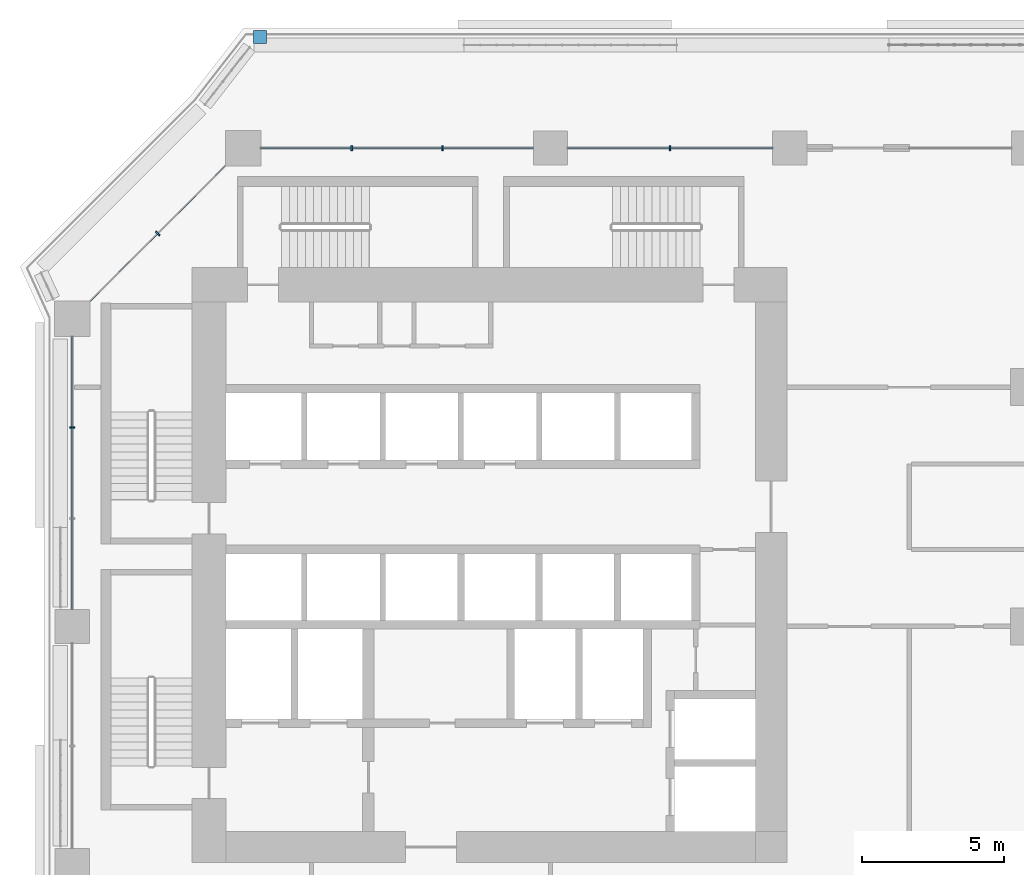
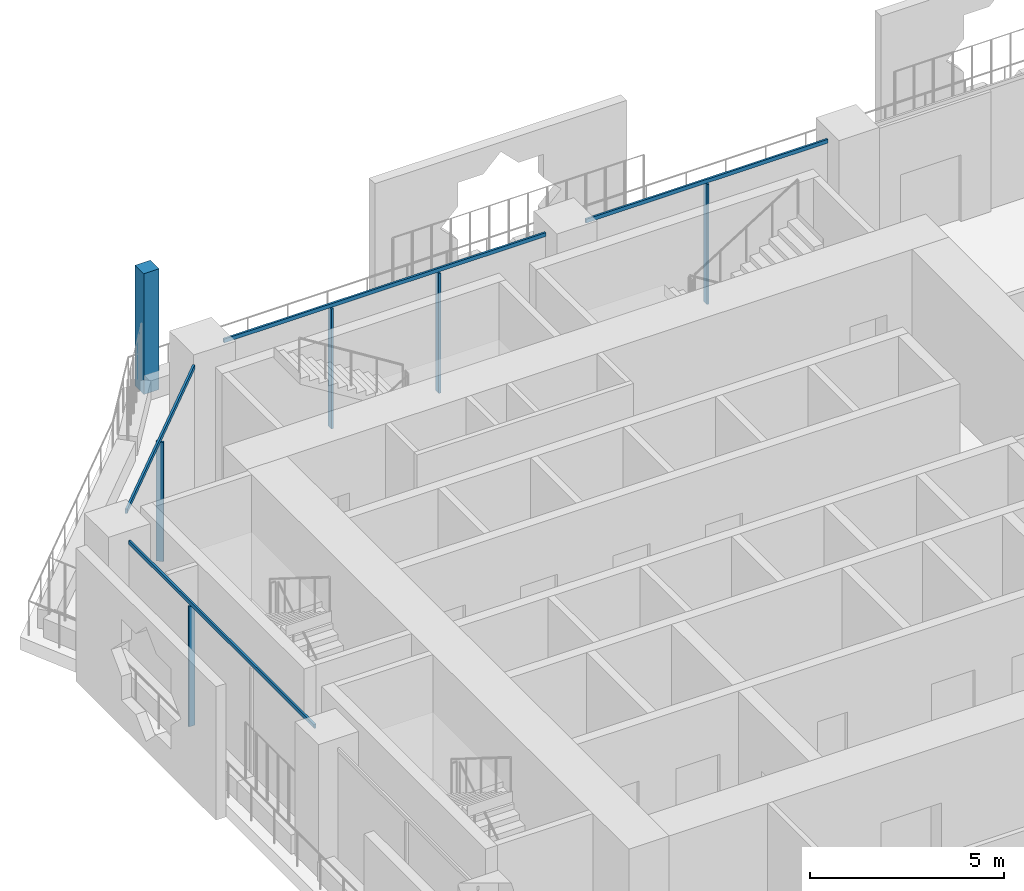
# One storey, part 8 of 28: 10 members, 4 elements without a shape of their own.
"""IFC4 building model written with IfcOpenShell, lengths in metres."""

from ifc_helpers import new_model, si_unit, direction, frame, origin, origin_2d, place, context, subcontext, project, spatial, rectangle, extrude, material, layer, layer_set, material_profile, profile_set, type_object, element, aggregate, save


model = new_model("IFC4")

# Units and contexts
model_context = context("Model", 3, precision=1e-05, world=origin(), true_north=direction((0.0, 1.0)))
body_context = subcontext(model_context, "Body", "Model", "MODEL_VIEW")
ifc_project = project(units=[si_unit("LENGTHUNIT", "METRE"), si_unit("AREAUNIT", "SQUARE_METRE"), si_unit("VOLUMEUNIT", "CUBIC_METRE"), si_unit("PLANEANGLEUNIT", "RADIAN"), si_unit("MASSUNIT", "GRAM", prefix="KILO")], contexts=[model_context])

# Site, building, storey
site_placement = place(None, origin())
site = spatial("IfcSite", under=ifc_project, at=site_placement, CompositionType="ELEMENT")
building_placement = place(site_placement, origin())
building = spatial("IfcBuilding", under=site, at=building_placement, Name="Kawkab Arch Medical Tower", CompositionType="ELEMENT")
storey_placement = place(building_placement, frame((0.0, 0.0, 77.0)))
storey = spatial("IfcBuildingStorey", under=building, at=storey_placement, Name="L17", CompositionType="ELEMENT", Elevation=77.0)

# Curtain wall, member
ifc_material_1 = material(Name="Bronze anodised aluminium curtain wall frame", Category="aluminium")
ifc_layer_1 = layer(ifc_material_1, 0.159912109375)
ifc_layer_set_1 = layer_set([ifc_layer_1], Name="Bronze anodised aluminium curtain wall frame")
curtain_wall_type_1 = type_object("IfcCurtainWallType", Name="CW1 ward curtain wall", PredefinedType="NOTDEFINED", material=ifc_layer_set_1)
placement = place(storey_placement, origin())
curtain_wall_1 = element("IfcCurtainWall", 1, at=placement, inside=storey, type_object=curtain_wall_type_1, Name="CW1 Ward curtain wall R01", PredefinedType="NOTDEFINED")
ifc_material_2 = material(Name="Bronze anodised aluminium curtain wall frame", Category="aluminium")
ifc_material_profile_1 = material_profile(ifc_material_2, rectangle(XDim=0.179931640625, YDim=0.06005859375, at=origin_2d()), Name="AL 60x180")
ifc_profile_set_1 = profile_set([ifc_material_profile_1], Name="Bronze anodised aluminium curtain wall frame")
member_type_1 = type_object("IfcMemberType", Name="CW1 mullion 60 x 180", PredefinedType="MULLION", material=ifc_profile_set_1)
member_1_placement = place(storey_placement, frame((0.0, -9.816650390625, 0.0), z_axis=(0.0, 0.0, 1.0), x_axis=(1.0, 0.0, 0.0)))
member_1 = element("IfcMember", 2, at=member_1_placement, type_object=member_type_1, Name="CW1 mullion 1.1", PredefinedType="MULLION", context=body_context, shape_type="SweptSolid", body=[
    extrude(rectangle(XDim=0.179931640625, YDim=0.06005859375, at=origin_2d()), origin(), (0.0, 0.0, 1.0), 3.780029296875),
])

# Curtain wall, members
curtain_wall_2 = element("IfcCurtainWall", 3, at=placement, inside=storey, type_object=curtain_wall_type_1, Name="CW1 Ward curtain wall R11", PredefinedType="NOTDEFINED")
member_2_placement = place(storey_placement, frame((21.0, 0.0, 0.0), z_axis=(0.0, 0.0, 1.0), x_axis=(0.0, -1.0, 0.0)))
member_2 = element("IfcMember", 4, at=member_2_placement, type_object=member_type_1, Name="CW1 mullion 7.1", PredefinedType="MULLION", context=body_context, shape_type="SweptSolid", body=[
    extrude(rectangle(XDim=0.179931640625, YDim=0.06005859375, at=origin_2d()), origin(), (0.0, 0.0, 1.0), 3.780029296875),
])
member_3_placement = place(storey_placement, frame((13.00830078125, 0.0, 0.0), z_axis=(0.0, 0.0, 1.0), x_axis=(0.0, -1.0, 0.0)))
member_3 = element("IfcMember", 5, at=member_3_placement, type_object=member_type_1, Name="CW1 mullion 8.1", PredefinedType="MULLION", context=body_context, shape_type="SweptSolid", body=[
    extrude(rectangle(XDim=0.179931640625, YDim=0.06005859375, at=origin_2d()), origin(), (0.0, 0.0, 1.0), 3.780029296875),
])
member_4_placement = place(storey_placement, frame((9.816650390625, 0.0, 0.0), z_axis=(0.0, 0.0, 1.0), x_axis=(0.0, -1.0, 0.0)))
member_4 = element("IfcMember", 6, at=member_4_placement, type_object=member_type_1, Name="CW1 mullion 8.2", PredefinedType="MULLION", context=body_context, shape_type="SweptSolid", body=[
    extrude(rectangle(XDim=0.179931640625, YDim=0.06005859375, at=origin_2d()), origin(), (0.0, 0.0, 1.0), 3.780029296875),
])

# Member
ifc_material_3 = material(Name="Bronze anodised aluminium curtain wall frame", Category="aluminium")
ifc_material_profile_2 = material_profile(ifc_material_3, rectangle(XDim=0.06005859375, YDim=0.1201171875, at=origin_2d()), Name="AL 60x120")
ifc_profile_set_2 = profile_set([ifc_material_profile_2], Name="Bronze anodised aluminium curtain wall frame")
member_type_2 = type_object("IfcMemberType", Name="CW1 transom 120 x 60", PredefinedType="USERDEFINED", material=ifc_profile_set_2)
member_5_placement = place(storey_placement, frame((0.0, -6.625, 3.840087890625), z_axis=(0.0, -1.0, 0.0), x_axis=(1.0, 0.0, 0.0)))
member_5 = element("IfcMember", 7, at=member_5_placement, type_object=member_type_2, Name="CW1 transom 1", ObjectType="TRANSOM", PredefinedType="USERDEFINED", context=body_context, shape_type="SweptSolid", body=[
    extrude(rectangle(XDim=0.06005859375, YDim=0.1201171875, at=origin_2d()), origin(), (0.0, 0.0, 1.0), 9.574951171875),
])

aggregate(curtain_wall_1, [member_5, member_1])

member_6_placement = place(storey_placement, frame((24.60009765625, 0.0, 3.840087890625), z_axis=(-1.0, 0.0, 0.0), x_axis=(0.0, -1.0, 0.0)))
member_6 = element("IfcMember", 8, at=member_6_placement, type_object=member_type_2, Name="CW1 transom 7", ObjectType="TRANSOM", PredefinedType="USERDEFINED", context=body_context, shape_type="SweptSolid", body=[
    extrude(rectangle(XDim=0.06005859375, YDim=0.1201171875, at=origin_2d()), origin(), (0.0, 0.0, 1.0), 7.2001953125),
])

member_7_placement = place(storey_placement, frame((16.199951171875, 0.0, 3.840087890625), z_axis=(-1.0, 0.0, 0.0), x_axis=(0.0, -1.0, 0.0)))
member_7 = element("IfcMember", 9, at=member_7_placement, type_object=member_type_2, Name="CW1 transom 8", ObjectType="TRANSOM", PredefinedType="USERDEFINED", context=body_context, shape_type="SweptSolid", body=[
    extrude(rectangle(XDim=0.06005859375, YDim=0.1201171875, at=origin_2d()), origin(), (0.0, 0.0, 1.0), 9.574951171875),
])

aggregate(curtain_wall_2, [member_6, member_2, member_7, member_3, member_4])

# Curtain wall, members
ifc_material_4 = material(Name="Bronze anodised aluminium curtain wall frame", Category="aluminium")
ifc_layer_2 = layer(ifc_material_4, 0.159912109375)
ifc_layer_set_2 = layer_set([ifc_layer_2], Name="Bronze anodised aluminium curtain wall frame")
curtain_wall_type_2 = type_object("IfcCurtainWallType", Name="CW2 chamfer curtain wall", PredefinedType="NOTDEFINED", material=ifc_layer_set_2)
curtain_wall_3 = element("IfcCurtainWall", 10, at=placement, inside=storey, type_object=curtain_wall_type_2, Name="CW2 Chamfer curtain wall R12", PredefinedType="NOTDEFINED")
ifc_material_5 = material(Name="Bronze anodised aluminium curtain wall frame", Category="aluminium")
ifc_material_profile_3 = material_profile(ifc_material_5, rectangle(XDim=0.199951171875, YDim=0.06005859375, at=origin_2d()), Name="AL 60x200")
ifc_profile_set_3 = profile_set([ifc_material_profile_3], Name="Bronze anodised aluminium curtain wall frame")
member_type_3 = type_object("IfcMemberType", Name="CW2 mullion 60 x 200", PredefinedType="MULLION", material=ifc_profile_set_3)
member_8_placement = place(storey_placement, frame((3.0, -3.0, 0.0), z_axis=(0.0, 0.0, 1.0), x_axis=(0.707106781187, -0.707106781187, 0.0)))
member_8 = element("IfcMember", 11, at=member_8_placement, type_object=member_type_3, Name="CW2 mullion 1.1", PredefinedType="MULLION", context=body_context, shape_type="SweptSolid", body=[
    extrude(rectangle(XDim=0.199951171875, YDim=0.06005859375, at=origin_2d()), origin(), (0.0, 0.0, 1.0), 3.760009765625),
])
ifc_material_6 = material(Name="Bronze anodised aluminium curtain wall frame", Category="aluminium")
ifc_material_profile_4 = material_profile(ifc_material_6, rectangle(XDim=0.06005859375, YDim=0.139892578125, at=origin_2d()), Name="AL 60x140")
ifc_profile_set_4 = profile_set([ifc_material_profile_4], Name="Bronze anodised aluminium curtain wall frame")
member_type_4 = type_object("IfcMemberType", Name="CW2 transom 140 x 60", PredefinedType="USERDEFINED", material=ifc_profile_set_4)
member_9_placement = place(storey_placement, frame((5.375, -0.625, 3.830078125), z_axis=(-0.707106781187, -0.707106781187, 0.0), x_axis=(0.707106781187, -0.707106781187, 0.0)))
member_9 = element("IfcMember", 12, at=member_9_placement, type_object=member_type_4, Name="CW2 transom 1", ObjectType="TRANSOM", PredefinedType="USERDEFINED", context=body_context, shape_type="SweptSolid", body=[
    extrude(rectangle(XDim=0.06005859375, YDim=0.139892578125, at=origin_2d()), origin(), (0.0, 0.0, 1.0), 6.717529296875),
])
aggregate(curtain_wall_3, [member_9, member_8])

# Curtain wall, member
ifc_material_7 = material(Name="Bronze anodised aluminium climber frame, planted", Category="aluminium")
ifc_layer_3 = layer(ifc_material_7, 0.449951171875)
ifc_layer_set_3 = layer_set([ifc_layer_3], Name="Bronze anodised aluminium climber frame, planted")
curtain_wall_type_3 = type_object("IfcCurtainWallType", Name="Planted climber frame", PredefinedType="NOTDEFINED", material=ifc_layer_set_3)
curtain_wall_4 = element("IfcCurtainWall", 13, at=placement, inside=storey, type_object=curtain_wall_type_3, Name="Planted climber frame L17", PredefinedType="NOTDEFINED")
ifc_material_8 = material(Name="Bronze anodised aluminium climber frame, planted", Category="aluminium")
ifc_material_profile_5 = material_profile(ifc_material_8, rectangle(XDim=0.449951171875, YDim=0.449951171875, at=origin_2d()), Name="Post 450x450")
ifc_profile_set_5 = profile_set([ifc_material_profile_5], Name="Bronze anodised aluminium climber frame, planted")
member_type_5 = type_object("IfcMemberType", Name="Planted climber post 450 x 450", PredefinedType="MULLION", material=ifc_profile_set_5)
member_10_placement = place(storey_placement, frame((6.596923828125, 3.89990234375, 0.0), z_axis=(0.0, 0.0, 1.0), x_axis=(1.0, 0.0, 0.0)))
member_10 = element("IfcMember", 14, at=member_10_placement, type_object=member_type_5, Name="Planted climber post L17.LOG-01-01.3", PredefinedType="MULLION", context=body_context, shape_type="SweptSolid", body=[
    extrude(rectangle(XDim=0.449951171875, YDim=0.449951171875, at=origin_2d()), origin(), (0.0, 0.0, 1.0), 3.800048828125),
])
aggregate(curtain_wall_4, [member_10])

save(model, "model.ifc")
